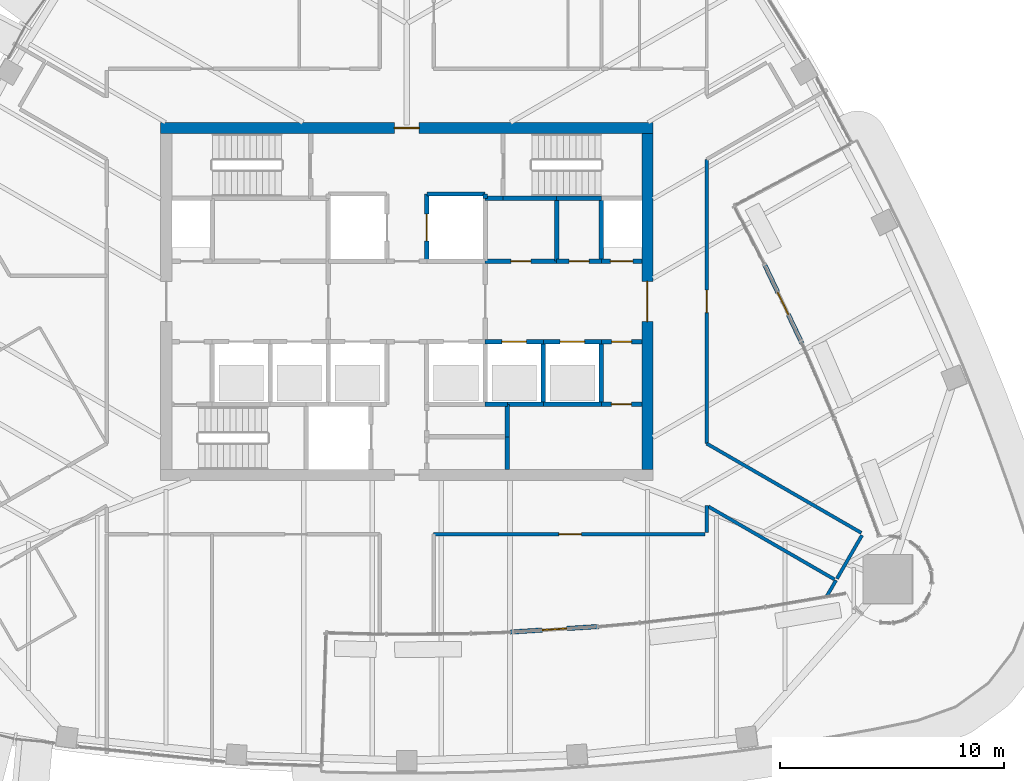
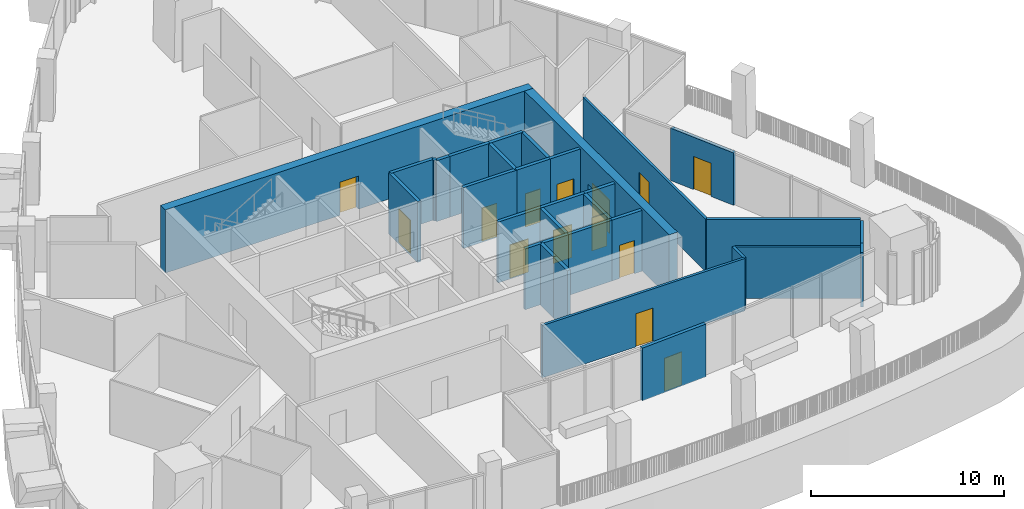
# One storey, part 15 of 21: 33 walls, 14 doors, 14 openings.
"""IFC4 building model written with IfcOpenShell, lengths in metres."""

from ifc_helpers import new_model, si_unit, direction, frame, frame_2d, origin, place, context, subcontext, project, spatial, rectangle, extrude, material, layer, layer_set, type_object, element, fill, save


model = new_model("IFC4")

# Units and contexts
model_context = context("Model", 3, precision=1e-05, world=origin(), true_north=direction((0.0, 1.0)))
body_context = subcontext(model_context, "Body", "Model", "MODEL_VIEW")
ifc_project = project(units=[si_unit("LENGTHUNIT", "METRE"), si_unit("AREAUNIT", "SQUARE_METRE"), si_unit("VOLUMEUNIT", "CUBIC_METRE"), si_unit("PLANEANGLEUNIT", "RADIAN"), si_unit("MASSUNIT", "GRAM", prefix="KILO")], contexts=[model_context])

# Site, building, storey
site_placement = place(None, origin())
site = spatial("IfcSite", under=ifc_project, at=site_placement, CompositionType="ELEMENT")
building_placement = place(site_placement, origin())
building = spatial("IfcBuilding", under=site, at=building_placement, Name="Sierra Prisma Convention Tower", CompositionType="ELEMENT")
storey_placement = place(building_placement, frame((0.0, 0.0, 259.0)))
storey = spatial("IfcBuildingStorey", under=building, at=storey_placement, Name="L58", CompositionType="ELEMENT", Elevation=259.0)

# Walls
ifc_material_1 = material(Name="Concrete C30/37", Category="concrete")
ifc_layer_1 = layer(ifc_material_1, 0.199951171875)
ifc_layer_set_1 = layer_set([ifc_layer_1], Name="Core wall RC 200 C30/37")
wall_type_1 = type_object("IfcWallType", Name="Core wall RC 200 C30/37", PredefinedType="SOLIDWALL", material=ifc_layer_set_1)
wall_1_placement = place(storey_placement, frame((3.5, 4.60009765625, 0.0), z_axis=(0.0, 0.0, 1.0), x_axis=(0.0, 1.0, 0.0)))
element("IfcWall", 1, at=wall_1_placement, inside=storey, type_object=wall_type_1, Name="Core wall L58 39", PredefinedType="SOLIDWALL", context=body_context, shape_type="SweptSolid", body=[
    extrude(rectangle(XDim=0.199951171875, YDim=0.199951171875, at=frame_2d((0.10009765625, 0.0))), origin(), (0.0, 0.0, 1.0), 3.85009765625),
])
wall_2_placement = place(storey_placement, frame((3.5, 4.800048828125, 0.0), z_axis=(0.0, 0.0, 1.0), x_axis=(-1.0, 0.0, 0.0)))
element("IfcWall", 2, at=wall_2_placement, inside=storey, type_object=wall_type_1, Name="Core wall L58 40", PredefinedType="SOLIDWALL", context=body_context, shape_type="SweptSolid", body=[
    extrude(rectangle(XDim=2.60009765625, YDim=0.199951171875, at=frame_2d((1.300048828125, 0.0))), origin(), (0.0, 0.0, 1.0), 3.85009765625),
])

# Wall, opening, door
wall_3_placement = place(storey_placement, frame((0.89990234375, 4.800048828125, 0.0), z_axis=(0.0, 0.0, 1.0), x_axis=(0.0, -1.0, 0.0)))
wall_3 = element("IfcWall", 3, at=wall_3_placement, inside=storey, type_object=wall_type_1, Name="Core wall L58 41", PredefinedType="SOLIDWALL", context=body_context, shape_type="SweptSolid", body=[
    extrude(rectangle(XDim=3.0, YDim=0.199951171875, at=frame_2d((1.5, 0.0))), origin(), (0.0, 0.0, 1.0), 3.85009765625),
])
opening_1_placement = place(wall_3_placement, frame((0.89990234375, 0.0, 0.0)))
opening_1 = element("IfcOpeningElement", 4, at=opening_1_placement, cuts=wall_3, Name="Opening L58-D010", PredefinedType="OPENING", context=body_context, shape_type="SweptSolid", body=[
    extrude(rectangle(XDim=1.199951171875, YDim=2.10009765625, at=frame_2d((0.60009765625, 1.050048828125))), frame((0.0, 0.10009765625, 0.0), z_axis=(0.0, -1.0, 0.0), x_axis=(1.0, 0.0, 0.0)), (0.0, 0.0, 1.0), 0.199951171875),
])
ifc_material_2 = material(Name="Steel fire door leaf", Category="steel")
door_type_1 = type_object("IfcDoorType", Name="Door 1200x2100 EI 90 sliding lift landing", OperationType="SLIDING_TO_LEFT", PredefinedType="DOOR", material=ifc_material_2)
door_1_placement = place(opening_1_placement, origin())
door_1 = element("IfcDoor", 5, at=door_1_placement, inside=storey, type_object=door_type_1, Name="Door L58 23", OperationType="SLIDING_TO_LEFT", OverallHeight=2.10009765625, OverallWidth=1.199951171875, PredefinedType="DOOR", context=body_context, shape_type="SweptSolid", body=[
    extrude(rectangle(XDim=1.199951171875, YDim=2.10009765625, at=frame_2d((0.60009765625, 1.050048828125))), frame((0.0, 0.02490234375, 0.0), z_axis=(0.0, -1.0, 0.0), x_axis=(1.0, 0.0, 0.0)), (0.0, 0.0, 1.0), 0.050048828125),
])
fill(opening_1, door_1)

# Wall
wall_4_placement = place(storey_placement, frame((4.5, -4.60009765625, 0.0), z_axis=(0.0, 0.0, 1.0), x_axis=(-1.0, 0.0, 0.0)))
element("IfcWall", 6, at=wall_4_placement, inside=storey, type_object=wall_type_1, Name="Core wall L58 42", PredefinedType="SOLIDWALL", context=body_context, shape_type="SweptSolid", body=[
    extrude(rectangle(XDim=1.0, YDim=0.199951171875, at=frame_2d((0.5, 0.0))), origin(), (0.0, 0.0, 1.0), 3.85009765625),
])

# Wall, opening, door
wall_5_placement = place(storey_placement, frame((3.5, -1.800048828125, 0.0), z_axis=(0.0, 0.0, 1.0), x_axis=(1.0, 0.0, 0.0)))
wall_5 = element("IfcWall", 7, at=wall_5_placement, inside=storey, type_object=wall_type_1, Name="Core wall L58 44", PredefinedType="SOLIDWALL", context=body_context, shape_type="SweptSolid", body=[
    extrude(rectangle(XDim=2.60009765625, YDim=0.199951171875, at=frame_2d((1.300048828125, 0.0))), origin(), (0.0, 0.0, 1.0), 3.85009765625),
])
opening_2_placement = place(wall_5_placement, frame((0.75, 0.0, 0.0)))
opening_2 = element("IfcOpeningElement", 8, at=opening_2_placement, cuts=wall_5, Name="Opening L58-D007", PredefinedType="OPENING", context=body_context, shape_type="SweptSolid", body=[
    extrude(rectangle(XDim=1.10009765625, YDim=2.10009765625, at=frame_2d((0.550048828125, 1.050048828125))), frame((0.0, 0.10009765625, 0.0), z_axis=(0.0, -1.0, 0.0), x_axis=(1.0, 0.0, 0.0)), (0.0, 0.0, 1.0), 0.199951171875),
])
ifc_material_3 = material(Name="Steel fire door leaf", Category="steel")
door_type_2 = type_object("IfcDoorType", Name="Door 1100x2100 EI 90 sliding lift landing", OperationType="SLIDING_TO_LEFT", PredefinedType="DOOR", material=ifc_material_3)
door_2_placement = place(opening_2_placement, origin())
door_2 = element("IfcDoor", 9, at=door_2_placement, inside=storey, type_object=door_type_2, Name="Door L58 20", OperationType="SLIDING_TO_LEFT", OverallHeight=2.10009765625, OverallWidth=1.10009765625, PredefinedType="DOOR", context=body_context, shape_type="SweptSolid", body=[
    extrude(rectangle(XDim=1.10009765625, YDim=2.10009765625, at=frame_2d((0.550048828125, 1.050048828125))), frame((0.0, 0.02490234375, 0.0), z_axis=(0.0, -1.0, 0.0), x_axis=(1.0, 0.0, 0.0)), (0.0, 0.0, 1.0), 0.050048828125),
])
fill(opening_2, door_2)

wall_6_placement = place(storey_placement, frame((3.5, 1.800048828125, 0.0), z_axis=(0.0, 0.0, 1.0), x_axis=(1.0, 0.0, 0.0)))
wall_6 = element("IfcWall", 10, at=wall_6_placement, inside=storey, type_object=wall_type_1, Name="Core wall L58 46", PredefinedType="SOLIDWALL", context=body_context, shape_type="SweptSolid", body=[
    extrude(rectangle(XDim=3.199951171875, YDim=0.199951171875, at=frame_2d((1.60009765625, 0.0))), origin(), (0.0, 0.0, 1.0), 3.85009765625),
])
opening_3_placement = place(wall_6_placement, frame((1.14990234375, 0.0, 0.0)))
opening_3 = element("IfcOpeningElement", 11, at=opening_3_placement, cuts=wall_6, Name="Opening L58-D022", PredefinedType="OPENING", context=body_context, shape_type="SweptSolid", body=[
    extrude(rectangle(XDim=0.89990234375, YDim=2.10009765625, at=frame_2d((0.449951171875, 1.050048828125))), frame((0.0, 0.10009765625, 0.0), z_axis=(0.0, -1.0, 0.0), x_axis=(1.0, 0.0, 0.0)), (0.0, 0.0, 1.0), 0.199951171875),
])
ifc_material_4 = material(Name="Steel fire door leaf", Category="steel")
door_type_3 = type_object("IfcDoorType", Name="Door 900x2100 FD30S", OperationType="SINGLE_SWING_LEFT", PredefinedType="DOOR", material=ifc_material_4)
door_3_placement = place(opening_3_placement, origin())
door_3 = element("IfcDoor", 12, at=door_3_placement, inside=storey, type_object=door_type_3, Name="Door L58 35", OperationType="SINGLE_SWING_RIGHT", OverallHeight=2.10009765625, OverallWidth=0.89990234375, PredefinedType="DOOR", context=body_context, shape_type="SweptSolid", body=[
    extrude(rectangle(XDim=0.89990234375, YDim=2.10009765625, at=frame_2d((0.449951171875, 1.050048828125))), frame((0.0, 0.02490234375, 0.0), z_axis=(0.0, -1.0, 0.0), x_axis=(1.0, 0.0, 0.0)), (0.0, 0.0, 1.0), 0.050048828125),
])
fill(opening_3, door_3)

# Walls
wall_7_placement = place(storey_placement, frame((4.300048828125, 4.60009765625, 0.0), z_axis=(0.0, 0.0, 1.0), x_axis=(-1.0, 0.0, 0.0)))
element("IfcWall", 13, at=wall_7_placement, inside=storey, type_object=wall_type_1, Name="Core wall L58 48", PredefinedType="SOLIDWALL", context=body_context, shape_type="SweptSolid", body=[
    extrude(rectangle(XDim=0.800048828125, YDim=0.199951171875, at=frame_2d((0.39990234375, 0.0))), origin(), (0.0, 0.0, 1.0), 3.85009765625),
])
wall_8_placement = place(storey_placement, frame((6.699951171875, 4.60009765625, 0.0), z_axis=(0.0, 0.0, 1.0), x_axis=(-1.0, 0.0, 0.0)))
element("IfcWall", 14, at=wall_8_placement, inside=storey, type_object=wall_type_1, Name="Core wall L58 49", PredefinedType="SOLIDWALL", context=body_context, shape_type="SweptSolid", body=[
    extrude(rectangle(XDim=2.39990234375, YDim=0.199951171875, at=frame_2d((1.199951171875, 0.0))), origin(), (0.0, 0.0, 1.0), 3.85009765625),
])
for number, where, z_axis, x_axis, name in (
    (15, (4.5, -6.050048828125, 0.0), (0.0, 0.0, 1.0), (0.0, -1.0, 0.0), "Core wall L58 51"),
    (16, (4.5, -4.60009765625, 0.0), (0.0, 0.0, 1.0), (0.0, -1.0, 0.0), "Core wall L58 52"),
):
    element("IfcWall", number, at=place(storey_placement, frame(where, z_axis=z_axis, x_axis=x_axis)), inside=storey, type_object=wall_type_1, Name=name, PredefinedType="SOLIDWALL", context=body_context, shape_type="SweptSolid", body=[
        extrude(rectangle(XDim=1.449951171875, YDim=0.199951171875, at=frame_2d((0.72509765625, 0.0))), origin(), (0.0, 0.0, 1.0), 3.85009765625),
    ])
wall_9_placement = place(storey_placement, frame((6.10009765625, -4.60009765625, 0.0), z_axis=(0.0, 0.0, 1.0), x_axis=(-1.0, 0.0, 0.0)))
element("IfcWall", 17, at=wall_9_placement, inside=storey, type_object=wall_type_1, Name="Core wall L58 53", PredefinedType="SOLIDWALL", context=body_context, shape_type="SweptSolid", body=[
    extrude(rectangle(XDim=1.60009765625, YDim=0.199951171875, at=frame_2d((0.800048828125, 0.0))), origin(), (0.0, 0.0, 1.0), 3.85009765625),
])
wall_10_placement = place(storey_placement, frame((8.699951171875, -4.60009765625, 0.0), z_axis=(0.0, 0.0, 1.0), x_axis=(-1.0, 0.0, 0.0)))
element("IfcWall", 18, at=wall_10_placement, inside=storey, type_object=wall_type_1, Name="Core wall L58 54", PredefinedType="SOLIDWALL", context=body_context, shape_type="SweptSolid", body=[
    extrude(rectangle(XDim=2.599853515625, YDim=0.199951171875, at=frame_2d((1.2998046875, 0.0))), origin(), (0.0, 0.0, 1.0), 3.85009765625),
])
wall_11_placement = place(storey_placement, frame((6.10009765625, -4.60009765625, 0.0), z_axis=(0.0, 0.0, 1.0), x_axis=(0.0, 1.0, 0.0)))
element("IfcWall", 19, at=wall_11_placement, inside=storey, type_object=wall_type_1, Name="Core wall L58 55", PredefinedType="SOLIDWALL", context=body_context, shape_type="SweptSolid", body=[
    extrude(rectangle(XDim=2.800048828125, YDim=0.199951171875, at=frame_2d((1.39990234375, 0.0))), origin(), (0.0, 0.0, 1.0), 3.85009765625),
])

# Wall, opening, door
wall_12_placement = place(storey_placement, frame((6.10009765625, -1.800048828125, 0.0), z_axis=(0.0, 0.0, 1.0), x_axis=(1.0, 0.0, 0.0)))
wall_12 = element("IfcWall", 20, at=wall_12_placement, inside=storey, type_object=wall_type_1, Name="Core wall L58 56", PredefinedType="SOLIDWALL", context=body_context, shape_type="SweptSolid", body=[
    extrude(rectangle(XDim=2.599853515625, YDim=0.199951171875, at=frame_2d((1.2998046875, 0.0))), origin(), (0.0, 0.0, 1.0), 3.85009765625),
])
opening_4_placement = place(wall_12_placement, frame((0.75, 0.0, 0.0)))
opening_4 = element("IfcOpeningElement", 21, at=opening_4_placement, cuts=wall_12, Name="Opening L58-D008", PredefinedType="OPENING", context=body_context, shape_type="SweptSolid", body=[
    extrude(rectangle(XDim=1.10009765625, YDim=2.10009765625, at=frame_2d((0.550048828125, 1.050048828125))), frame((0.0, 0.10009765625, 0.0), z_axis=(0.0, -1.0, 0.0), x_axis=(1.0, 0.0, 0.0)), (0.0, 0.0, 1.0), 0.199951171875),
])
door_4_placement = place(opening_4_placement, origin())
door_4 = element("IfcDoor", 22, at=door_4_placement, inside=storey, type_object=door_type_2, Name="Door L58 21", OperationType="SLIDING_TO_LEFT", OverallHeight=2.10009765625, OverallWidth=1.10009765625, PredefinedType="DOOR", context=body_context, shape_type="SweptSolid", body=[
    extrude(rectangle(XDim=1.10009765625, YDim=2.10009765625, at=frame_2d((0.550048828125, 1.050048828125))), frame((0.0, 0.02490234375, 0.0), z_axis=(0.0, -1.0, 0.0), x_axis=(1.0, 0.0, 0.0)), (0.0, 0.0, 1.0), 0.050048828125),
])
fill(opening_4, door_4)

wall_13_placement = place(storey_placement, frame((6.699951171875, 1.800048828125, 0.0), z_axis=(0.0, 0.0, 1.0), x_axis=(1.0, 0.0, 0.0)))
wall_13 = element("IfcWall", 23, at=wall_13_placement, inside=storey, type_object=wall_type_1, Name="Core wall L58 57", PredefinedType="SOLIDWALL", context=body_context, shape_type="SweptSolid", body=[
    extrude(rectangle(XDim=2.0, YDim=0.199951171875, at=frame_2d((1.0, 0.0))), origin(), (0.0, 0.0, 1.0), 3.85009765625),
])
opening_5_placement = place(wall_13_placement, frame((0.550048828125, 0.0, 0.0)))
opening_5 = element("IfcOpeningElement", 24, at=opening_5_placement, cuts=wall_13, Name="Opening L58-D023", PredefinedType="OPENING", context=body_context, shape_type="SweptSolid", body=[
    extrude(rectangle(XDim=0.89990234375, YDim=2.10009765625, at=frame_2d((0.449951171875, 1.050048828125))), frame((0.0, 0.10009765625, 0.0), z_axis=(0.0, -1.0, 0.0), x_axis=(1.0, 0.0, 0.0)), (0.0, 0.0, 1.0), 0.199951171875),
])
door_5_placement = place(opening_5_placement, origin())
door_5 = element("IfcDoor", 25, at=door_5_placement, inside=storey, type_object=door_type_3, Name="Door L58 36", OperationType="SINGLE_SWING_LEFT", OverallHeight=2.10009765625, OverallWidth=0.89990234375, PredefinedType="DOOR", context=body_context, shape_type="SweptSolid", body=[
    extrude(rectangle(XDim=0.89990234375, YDim=2.10009765625, at=frame_2d((0.449951171875, 1.050048828125))), frame((0.0, 0.02490234375, 0.0), z_axis=(0.0, -1.0, 0.0), x_axis=(1.0, 0.0, 0.0)), (0.0, 0.0, 1.0), 0.050048828125),
])
fill(opening_5, door_5)

# Walls
wall_14_placement = place(storey_placement, frame((6.699951171875, 1.800048828125, 0.0), z_axis=(0.0, 0.0, 1.0), x_axis=(0.0, 1.0, 0.0)))
element("IfcWall", 26, at=wall_14_placement, inside=storey, type_object=wall_type_1, Name="Core wall L58 58", PredefinedType="SOLIDWALL", context=body_context, shape_type="SweptSolid", body=[
    extrude(rectangle(XDim=2.800048828125, YDim=0.199951171875, at=frame_2d((1.39990234375, 0.0))), origin(), (0.0, 0.0, 1.0), 3.85009765625),
])
wall_15_placement = place(storey_placement, frame((8.699951171875, 4.60009765625, 0.0), z_axis=(0.0, 0.0, 1.0), x_axis=(-1.0, 0.0, 0.0)))
element("IfcWall", 27, at=wall_15_placement, inside=storey, type_object=wall_type_1, Name="Core wall L58 59", PredefinedType="SOLIDWALL", context=body_context, shape_type="SweptSolid", body=[
    extrude(rectangle(XDim=2.0, YDim=0.199951171875, at=frame_2d((1.0, 0.0))), origin(), (0.0, 0.0, 1.0), 3.85009765625),
])

# Wall, opening, door
wall_16_placement = place(storey_placement, frame((10.5, -4.60009765625, 0.0), z_axis=(0.0, 0.0, 1.0), x_axis=(-1.0, 0.0, 0.0)))
wall_16 = element("IfcWall", 28, at=wall_16_placement, inside=storey, type_object=wall_type_1, Name="Core wall L58 60", PredefinedType="SOLIDWALL", context=body_context, shape_type="SweptSolid", body=[
    extrude(rectangle(XDim=1.800048828125, YDim=0.199951171875, at=frame_2d((0.89990234375, 0.0))), origin(), (0.0, 0.0, 1.0), 3.85009765625),
])
opening_6_placement = place(wall_16_placement, frame((0.4599609375, 0.0, 0.0)))
opening_6 = element("IfcOpeningElement", 29, at=opening_6_placement, cuts=wall_16, Name="Opening L58-D025", PredefinedType="OPENING", context=body_context, shape_type="SweptSolid", body=[
    extrude(rectangle(XDim=0.89990234375, YDim=2.10009765625, at=frame_2d((0.449951171875, 1.050048828125))), frame((0.0, 0.10009765625, 0.0), z_axis=(0.0, -1.0, 0.0), x_axis=(1.0, 0.0, 0.0)), (0.0, 0.0, 1.0), 0.199951171875),
])
door_6_placement = place(opening_6_placement, origin())
door_6 = element("IfcDoor", 30, at=door_6_placement, inside=storey, type_object=door_type_3, Name="Door L58 38", OperationType="SINGLE_SWING_RIGHT", OverallHeight=2.10009765625, OverallWidth=0.89990234375, PredefinedType="DOOR", context=body_context, shape_type="SweptSolid", body=[
    extrude(rectangle(XDim=0.89990234375, YDim=2.10009765625, at=frame_2d((0.449951171875, 1.050048828125))), frame((0.0, 0.02490234375, 0.0), z_axis=(0.0, -1.0, 0.0), x_axis=(1.0, 0.0, 0.0)), (0.0, 0.0, 1.0), 0.050048828125),
])
fill(opening_6, door_6)

# Wall
wall_17_placement = place(storey_placement, frame((8.699951171875, -1.800048828125, 0.0), z_axis=(0.0, 0.0, 1.0), x_axis=(0.0, -1.0, 0.0)))
element("IfcWall", 31, at=wall_17_placement, inside=storey, type_object=wall_type_1, Name="Core wall L58 61", PredefinedType="SOLIDWALL", context=body_context, shape_type="SweptSolid", body=[
    extrude(rectangle(XDim=2.800048828125, YDim=0.199951171875, at=frame_2d((1.39990234375, 0.0))), origin(), (0.0, 0.0, 1.0), 3.85009765625),
])

# Wall, opening, door
wall_18_placement = place(storey_placement, frame((8.699951171875, -1.800048828125, 0.0), z_axis=(0.0, 0.0, 1.0), x_axis=(1.0, 0.0, 0.0)))
wall_18 = element("IfcWall", 32, at=wall_18_placement, inside=storey, type_object=wall_type_1, Name="Core wall L58 62", PredefinedType="SOLIDWALL", context=body_context, shape_type="SweptSolid", body=[
    extrude(rectangle(XDim=1.800048828125, YDim=0.199951171875, at=frame_2d((0.89990234375, 0.0))), origin(), (0.0, 0.0, 1.0), 3.85009765625),
])
opening_7_placement = place(wall_18_placement, frame((0.449951171875, 0.0, 0.0)))
opening_7 = element("IfcOpeningElement", 33, at=opening_7_placement, cuts=wall_18, Name="Opening L58-D026", PredefinedType="OPENING", context=body_context, shape_type="SweptSolid", body=[
    extrude(rectangle(XDim=0.89990234375, YDim=2.10009765625, at=frame_2d((0.449951171875, 1.050048828125))), frame((0.0, 0.10009765625, 0.0), z_axis=(0.0, -1.0, 0.0), x_axis=(1.0, 0.0, 0.0)), (0.0, 0.0, 1.0), 0.199951171875),
])
door_7_placement = place(opening_7_placement, origin())
door_7 = element("IfcDoor", 34, at=door_7_placement, inside=storey, type_object=door_type_3, Name="Door L58 39", OperationType="SINGLE_SWING_LEFT", OverallHeight=2.10009765625, OverallWidth=0.89990234375, PredefinedType="DOOR", context=body_context, shape_type="SweptSolid", body=[
    extrude(rectangle(XDim=0.89990234375, YDim=2.10009765625, at=frame_2d((0.449951171875, 1.050048828125))), frame((0.0, 0.02490234375, 0.0), z_axis=(0.0, -1.0, 0.0), x_axis=(1.0, 0.0, 0.0)), (0.0, 0.0, 1.0), 0.050048828125),
])
fill(opening_7, door_7)

wall_19_placement = place(storey_placement, frame((10.5, 1.800048828125, 0.0), z_axis=(0.0, 0.0, 1.0), x_axis=(-1.0, 0.0, 0.0)))
wall_19 = element("IfcWall", 35, at=wall_19_placement, inside=storey, type_object=wall_type_1, Name="Core wall L58 63", PredefinedType="SOLIDWALL", context=body_context, shape_type="SweptSolid", body=[
    extrude(rectangle(XDim=1.800048828125, YDim=0.199951171875, at=frame_2d((0.89990234375, 0.0))), origin(), (0.0, 0.0, 1.0), 3.85009765625),
])
opening_8_placement = place(wall_19_placement, frame((0.39990234375, 0.0, 0.0)))
opening_8 = element("IfcOpeningElement", 36, at=opening_8_placement, cuts=wall_19, Name="Opening L58-D018", PredefinedType="OPENING", context=body_context, shape_type="SweptSolid", body=[
    extrude(rectangle(XDim=1.0, YDim=2.10009765625, at=frame_2d((0.5, 1.050048828125))), frame((0.0, 0.10009765625, 0.0), z_axis=(0.0, -1.0, 0.0), x_axis=(1.0, 0.0, 0.0)), (0.0, 0.0, 1.0), 0.199951171875),
])
ifc_material_5 = material(Name="Steel fire door leaf", Category="steel")
door_type_4 = type_object("IfcDoorType", Name="Door 1000x2100 FD60S", OperationType="SINGLE_SWING_LEFT", PredefinedType="DOOR", material=ifc_material_5)
door_8_placement = place(opening_8_placement, origin())
door_8 = element("IfcDoor", 37, at=door_8_placement, inside=storey, type_object=door_type_4, Name="Door L58 31", OperationType="SINGLE_SWING_LEFT", OverallHeight=2.10009765625, OverallWidth=1.0, PredefinedType="DOOR", context=body_context, shape_type="SweptSolid", body=[
    extrude(rectangle(XDim=1.0, YDim=2.10009765625, at=frame_2d((0.5, 1.050048828125))), frame((0.0, 0.02490234375, 0.0), z_axis=(0.0, -1.0, 0.0), x_axis=(1.0, 0.0, 0.0)), (0.0, 0.0, 1.0), 0.050048828125),
])
fill(opening_8, door_8)

# Wall
wall_20_placement = place(storey_placement, frame((8.699951171875, 1.800048828125, 0.0), z_axis=(0.0, 0.0, 1.0), x_axis=(0.0, 1.0, 0.0)))
element("IfcWall", 38, at=wall_20_placement, inside=storey, type_object=wall_type_1, Name="Core wall L58 64", PredefinedType="SOLIDWALL", context=body_context, shape_type="SweptSolid", body=[
    extrude(rectangle(XDim=2.800048828125, YDim=0.199951171875, at=frame_2d((1.39990234375, 0.0))), origin(), (0.0, 0.0, 1.0), 3.85009765625),
])

# Wall, opening, door
ifc_material_6 = material(Name="Concrete C50/60", Category="concrete")
ifc_layer_2 = layer(ifc_material_6, 0.5)
ifc_layer_set_2 = layer_set([ifc_layer_2], Name="Core wall RC 500 C50/60")
wall_type_2 = type_object("IfcWallType", Name="Core wall RC 500 C50/60", PredefinedType="SHEAR", material=ifc_layer_set_2)
wall_21_placement = place(storey_placement, frame((-11.0, 7.75, 0.0), z_axis=(0.0, 0.0, 1.0), x_axis=(1.0, 0.0, 0.0)))
wall_21 = element("IfcWall", 39, at=wall_21_placement, inside=storey, type_object=wall_type_2, Name="Core wall N L58", PredefinedType="SHEAR", context=body_context, shape_type="SweptSolid", body=[
    extrude(rectangle(XDim=22.0, YDim=0.5, at=frame_2d((11.0, 0.0))), origin(), (0.0, 0.0, 1.0), 4.0),
])
opening_9_placement = place(wall_21_placement, frame((10.449951171875, 0.0, 0.0)))
opening_9 = element("IfcOpeningElement", 40, at=opening_9_placement, cuts=wall_21, Name="Opening L58-D045", PredefinedType="OPENING", context=body_context, shape_type="SweptSolid", body=[
    extrude(rectangle(XDim=1.10009765625, YDim=2.10009765625, at=frame_2d((0.550048828125, 1.050048828125))), frame((0.0, 0.25, 0.0), z_axis=(0.0, -1.0, 0.0), x_axis=(1.0, 0.0, 0.0)), (0.0, 0.0, 1.0), 0.5),
])
ifc_material_7 = material(Name="Steel fire door leaf", Category="steel")
door_type_5 = type_object("IfcDoorType", Name="Door 1100x2100 FD60S", OperationType="SINGLE_SWING_LEFT", PredefinedType="DOOR", material=ifc_material_7)
door_9_placement = place(opening_9_placement, origin())
door_9 = element("IfcDoor", 41, at=door_9_placement, inside=storey, type_object=door_type_5, Name="Door L58 44", OperationType="SINGLE_SWING_RIGHT", OverallHeight=2.10009765625, OverallWidth=1.10009765625, PredefinedType="DOOR", context=body_context, shape_type="SweptSolid", body=[
    extrude(rectangle(XDim=1.10009765625, YDim=2.10009765625, at=frame_2d((0.550048828125, 1.050048828125))), frame((0.0, 0.02490234375, 0.0), z_axis=(0.0, -1.0, 0.0), x_axis=(1.0, 0.0, 0.0)), (0.0, 0.0, 1.0), 0.050048828125),
])
fill(opening_9, door_9)

wall_22_placement = place(storey_placement, frame((10.75, -7.5, 0.0), z_axis=(0.0, 0.0, 1.0), x_axis=(0.0, 1.0, 0.0)))
wall_22 = element("IfcWall", 42, at=wall_22_placement, inside=storey, type_object=wall_type_2, Name="Core wall E L58", PredefinedType="SHEAR", context=body_context, shape_type="SweptSolid", body=[
    extrude(rectangle(XDim=15.0, YDim=0.5, at=frame_2d((7.5, 0.0))), origin(), (0.0, 0.0, 1.0), 4.0),
])
opening_10_placement = place(wall_22_placement, frame((6.60009765625, 0.0, 0.0)))
opening_10 = element("IfcOpeningElement", 43, at=opening_10_placement, cuts=wall_22, Name="Opening L58-D044", PredefinedType="OPENING", context=body_context, shape_type="SweptSolid", body=[
    extrude(rectangle(XDim=1.800048828125, YDim=2.10009765625, at=frame_2d((0.89990234375, 1.050048828125))), frame((0.0, 0.25, 0.0), z_axis=(0.0, -1.0, 0.0), x_axis=(1.0, 0.0, 0.0)), (0.0, 0.0, 1.0), 0.5),
])
ifc_material_8 = material(Name="Steel fire door leaf", Category="steel")
door_type_6 = type_object("IfcDoorType", Name="Door 1800x2100 FD60S", OperationType="DOUBLE_DOOR_SINGLE_SWING", PredefinedType="DOOR", material=ifc_material_8)
door_10_placement = place(opening_10_placement, origin())
door_10 = element("IfcDoor", 44, at=door_10_placement, inside=storey, type_object=door_type_6, Name="Door L58 43", OperationType="DOUBLE_DOOR_SINGLE_SWING", OverallHeight=2.10009765625, OverallWidth=1.800048828125, PredefinedType="DOOR", context=body_context, shape_type="SweptSolid", body=[
    extrude(rectangle(XDim=1.800048828125, YDim=2.10009765625, at=frame_2d((0.89990234375, 1.050048828125))), frame((0.0, 0.02490234375, 0.0), z_axis=(0.0, -1.0, 0.0), x_axis=(1.0, 0.0, 0.0)), (0.0, 0.0, 1.0), 0.050048828125),
])
fill(opening_10, door_10)

ifc_material_9 = material(Name="Gypsum board partition", Category="gypsum")
ifc_layer_3 = layer(ifc_material_9, 0.14990234375)
ifc_layer_set_3 = layer_set([ifc_layer_3], Name="Corridor wall 150 gypsum EI 60")
wall_type_3 = type_object("IfcWallType", Name="Corridor wall 150 gypsum EI 60", PredefinedType="PARTITIONING", material=ifc_layer_set_3)
wall_23_placement = place(storey_placement, frame((1.199951171875, -10.39990234375, 0.0), z_axis=(0.0, 0.0, 1.0), x_axis=(1.0, 0.0, 0.0)))
wall_23 = element("IfcWall", 45, at=wall_23_placement, inside=storey, type_object=wall_type_3, Name="Partition L58 corr 16", PredefinedType="PARTITIONING", context=body_context, shape_type="SweptSolid", body=[
    extrude(rectangle(XDim=12.1201171875, YDim=0.14990234375, at=frame_2d((6.06005859375, 0.0))), origin(), (0.0, 0.0, 1.0), 3.31689453125),
])
opening_11_placement = place(wall_23_placement, frame((5.60009765625, 0.0, 0.0)))
opening_11 = element("IfcOpeningElement", 46, at=opening_11_placement, cuts=wall_23, Name="Opening L58-D042", PredefinedType="OPENING", context=body_context, shape_type="SweptSolid", body=[
    extrude(rectangle(XDim=1.0, YDim=2.10009765625, at=frame_2d((0.5, 1.050048828125))), frame((0.0, 0.074951171875, 0.0), z_axis=(0.0, -1.0, 0.0), x_axis=(1.0, 0.0, 0.0)), (0.0, 0.0, 1.0), 0.14990234375),
])
ifc_material_10 = material(Name="Steel fire door leaf", Category="steel")
door_type_7 = type_object("IfcDoorType", Name="Door 1000x2100 FD30S", OperationType="SINGLE_SWING_LEFT", PredefinedType="DOOR", material=ifc_material_10)
door_11_placement = place(opening_11_placement, origin())
door_11 = element("IfcDoor", 47, at=door_11_placement, inside=storey, type_object=door_type_7, Name="Door L58 14", OperationType="SINGLE_SWING_RIGHT", OverallHeight=2.10009765625, OverallWidth=1.0, PredefinedType="DOOR", context=body_context, shape_type="SweptSolid", body=[
    extrude(rectangle(XDim=1.0, YDim=2.10009765625, at=frame_2d((0.5, 1.050048828125))), frame((0.0, 0.02490234375, 0.0), z_axis=(0.0, -1.0, 0.0), x_axis=(1.0, 0.0, 0.0)), (0.0, 0.0, 1.0), 0.050048828125),
])
fill(opening_11, door_11)

# Walls
wall_24_placement = place(storey_placement, frame((13.39990234375, -10.320068359375, 0.0), z_axis=(0.0, 0.0, 1.0), x_axis=(0.0, 1.0, 0.0)))
element("IfcWall", 48, at=wall_24_placement, inside=storey, type_object=wall_type_3, Name="Partition L58 corr 20", PredefinedType="PARTITIONING", context=body_context, shape_type="SweptSolid", body=[
    extrude(rectangle(XDim=1.197998046875, YDim=0.14990234375, at=frame_2d((0.59912109375, 0.0))), origin(), (0.0, 0.0, 1.0), 3.23291015625),
])
wall_25_placement = place(storey_placement, frame((13.479248046875, -9.16796875, 0.0), z_axis=(0.0, 0.0, 1.0), x_axis=(0.866028026295, -0.499995457651, 0.0)))
element("IfcWall", 49, at=wall_25_placement, inside=storey, type_object=wall_type_3, Name="Partition L58 corr 21", PredefinedType="PARTITIONING", context=body_context, shape_type="SweptSolid", body=[
    extrude(rectangle(XDim=6.50244140625, YDim=0.14990234375, at=frame_2d((3.251220703125, 0.0))), origin(), (0.0, 0.0, 1.0), 3.23291015625),
])
wall_26_placement = place(storey_placement, frame((20.310546875, -10.340576171875, 0.0), z_axis=(0.0, 0.0, 1.0), x_axis=(-0.866031719379, 0.499989060909, 0.0)))
element("IfcWall", 50, at=wall_26_placement, inside=storey, type_object=wall_type_3, Name="Partition L58 corr 25", PredefinedType="PARTITIONING", context=body_context, shape_type="SweptSolid", body=[
    extrude(rectangle(XDim=7.979736328125, YDim=0.14990234375, at=frame_2d((3.98974609375, 0.0))), origin(), (0.0, 0.0, 1.0), 3.31689453125),
])

# Wall, opening, door
wall_27_placement = place(storey_placement, frame((13.39990234375, -6.350830078125, 0.0), z_axis=(0.0, 0.0, 1.0), x_axis=(0.0, 1.0, 0.0)))
wall_27 = element("IfcWall", 51, at=wall_27_placement, inside=storey, type_object=wall_type_3, Name="Partition L58 corr 26", PredefinedType="PARTITIONING", context=body_context, shape_type="SweptSolid", body=[
    extrude(rectangle(XDim=12.70166015625, YDim=0.14990234375, at=frame_2d((6.350830078125, 0.0))), origin(), (0.0, 0.0, 1.0), 3.31689453125),
])
opening_12_placement = place(wall_27_placement, frame((5.850830078125, 0.0, 0.0)))
opening_12 = element("IfcOpeningElement", 52, at=opening_12_placement, cuts=wall_27, Name="Opening L58-D043", PredefinedType="OPENING", context=body_context, shape_type="SweptSolid", body=[
    extrude(rectangle(XDim=1.0, YDim=2.10009765625, at=frame_2d((0.5, 1.050048828125))), frame((0.0, 0.074951171875, 0.0), z_axis=(0.0, -1.0, 0.0), x_axis=(1.0, 0.0, 0.0)), (0.0, 0.0, 1.0), 0.14990234375),
])
door_12_placement = place(opening_12_placement, origin())
door_12 = element("IfcDoor", 53, at=door_12_placement, inside=storey, type_object=door_type_7, Name="Door L58 15", OperationType="SINGLE_SWING_LEFT", OverallHeight=2.10009765625, OverallWidth=1.0, PredefinedType="DOOR", context=body_context, shape_type="SweptSolid", body=[
    extrude(rectangle(XDim=1.0, YDim=2.10009765625, at=frame_2d((0.5, 1.050048828125))), frame((0.0, 0.02490234375, 0.0), z_axis=(0.0, -1.0, 0.0), x_axis=(1.0, 0.0, 0.0)), (0.0, 0.0, 1.0), 0.050048828125),
])
fill(opening_12, door_12)

# Walls
wall_28_placement = place(storey_placement, frame((19.2197265625, -12.389892578125, 0.0), z_axis=(0.0, 0.0, 1.0), x_axis=(0.500030632641, 0.866007717299, 0.0)))
element("IfcWall", 54, at=wall_28_placement, inside=storey, type_object=wall_type_3, Name="Partition L58 corr 28", PredefinedType="PARTITIONING", context=body_context, shape_type="SweptSolid", body=[
    extrude(rectangle(XDim=2.239990234375, YDim=0.14990234375, at=frame_2d((1.1201171875, 0.0))), origin(), (0.0, 0.0, 1.0), 3.23291015625),
])
ifc_material_11 = material(Name="Gypsum board partition", Category="gypsum")
ifc_layer_4 = layer(ifc_material_11, 0.14990234375)
ifc_layer_set_4 = layer_set([ifc_layer_4], Name="Party wall 150 gypsum")
wall_type_4 = type_object("IfcWallType", Name="Party wall 150 gypsum", PredefinedType="PARTITIONING", material=ifc_layer_set_4)
wall_29_placement = place(storey_placement, frame((19.1796875, -12.458984375, 0.0), z_axis=(0.0, 0.0, 1.0), x_axis=(-0.499930913282, -0.866065287345, 0.0)))
element("IfcWall", 55, at=wall_29_placement, inside=storey, type_object=wall_type_4, Name="Partition L58 party 10", PredefinedType="PARTITIONING", context=body_context, shape_type="SweptSolid", body=[
    extrude(rectangle(XDim=0.8447265625, YDim=0.14990234375, at=frame_2d((0.42236328125, 0.0))), origin(), (0.0, 0.0, 1.0), 3.449951171875),
])

# Wall, opening, door
ifc_material_12 = material(Name="Precast concrete C40/50", Category="concrete")
ifc_layer_5 = layer(ifc_material_12, 0.199951171875)
ifc_layer_set_5 = layer_set([ifc_layer_5], Name="Terrace door pier")
wall_type_5 = type_object("IfcWallType", Name="Terrace door pier", PredefinedType="SOLIDWALL", material=ifc_layer_set_5)
wall_30_placement = place(storey_placement, frame((4.628662109375, -14.77294921875, 0.0), z_axis=(0.0, 0.0, 1.0), x_axis=(0.99804368287, 0.062520453327, 0.0)))
wall_30 = element("IfcWall", 56, at=wall_30_placement, inside=storey, type_object=wall_type_5, Name="Terrace door bay L58.4", PredefinedType="SOLIDWALL", context=body_context, shape_type="SweptSolid", body=[
    extrude(rectangle(XDim=3.955810546875, YDim=0.199951171875, at=frame_2d((1.97802734375, 0.0))), origin(), (0.0, 0.0, 1.0), 3.340087890625),
])
opening_13_placement = place(wall_30_placement, frame((1.427978515625, 0.0, 0.0)))
opening_13 = element("IfcOpeningElement", 57, at=opening_13_placement, cuts=wall_30, Name="Opening L58-D002", PredefinedType="OPENING", context=body_context, shape_type="SweptSolid", body=[
    extrude(rectangle(XDim=1.10009765625, YDim=2.10009765625, at=frame_2d((0.550048828125, 1.050048828125))), frame((0.0, 0.10009765625, 0.0), z_axis=(0.0, -1.0, 0.0), x_axis=(1.0, 0.0, 0.0)), (0.0, 0.0, 1.0), 0.199951171875),
])
ifc_material_13 = material(Name="Bronze anodised aluminium and glass", Category="aluminium")
door_type_8 = type_object("IfcDoorType", Name="Terrace door 1100 x 2100", OperationType="SINGLE_SWING_LEFT", PredefinedType="DOOR", material=ifc_material_13)
door_13_placement = place(opening_13_placement, origin())
door_13 = element("IfcDoor", 58, at=door_13_placement, inside=storey, type_object=door_type_8, Name="Terrace door L58.4", OperationType="SINGLE_SWING_RIGHT", OverallHeight=2.10009765625, OverallWidth=1.10009765625, PredefinedType="DOOR", context=body_context, shape_type="SweptSolid", body=[
    extrude(rectangle(XDim=1.10009765625, YDim=2.10009765625, at=frame_2d((0.550048828125, 1.050048828125))), frame((0.0, 0.02490234375, 0.0), z_axis=(0.0, -1.0, 0.0), x_axis=(1.0, 0.0, 0.0)), (0.0, 0.0, 1.0), 0.050048828125),
])
fill(opening_13, door_13)

wall_31_placement = place(storey_placement, frame((17.660888671875, -1.878173828125, 0.0), z_axis=(0.0, 0.0, 1.0), x_axis=(-0.428826415078, 0.903386908103, 0.0)))
wall_31 = element("IfcWall", 59, at=wall_31_placement, inside=storey, type_object=wall_type_5, Name="Terrace door bay L58.30", PredefinedType="SOLIDWALL", context=body_context, shape_type="SweptSolid", body=[
    extrude(rectangle(XDim=3.95556640625, YDim=0.199951171875, at=frame_2d((1.977783203125, 0.0))), origin(), (0.0, 0.0, 1.0), 3.31689453125),
])
opening_14_placement = place(wall_31_placement, frame((1.427978515625, 0.0, 0.0)))
opening_14 = element("IfcOpeningElement", 60, at=opening_14_placement, cuts=wall_31, Name="Opening L58-D001", PredefinedType="OPENING", context=body_context, shape_type="SweptSolid", body=[
    extrude(rectangle(XDim=1.10009765625, YDim=2.10009765625, at=frame_2d((0.550048828125, 1.050048828125))), frame((0.0, 0.10009765625, 0.0), z_axis=(0.0, -1.0, 0.0), x_axis=(1.0, 0.0, 0.0)), (0.0, 0.0, 1.0), 0.199951171875),
])
door_14_placement = place(opening_14_placement, origin())
door_14 = element("IfcDoor", 61, at=door_14_placement, inside=storey, type_object=door_type_8, Name="Terrace door L58.30", OperationType="SINGLE_SWING_RIGHT", OverallHeight=2.10009765625, OverallWidth=1.10009765625, PredefinedType="DOOR", context=body_context, shape_type="SweptSolid", body=[
    extrude(rectangle(XDim=1.10009765625, YDim=2.10009765625, at=frame_2d((0.550048828125, 1.050048828125))), frame((0.0, 0.02490234375, 0.0), z_axis=(0.0, -1.0, 0.0), x_axis=(1.0, 0.0, 0.0)), (0.0, 0.0, 1.0), 0.050048828125),
])
fill(opening_14, door_14)

save(model, "model.ifc")
